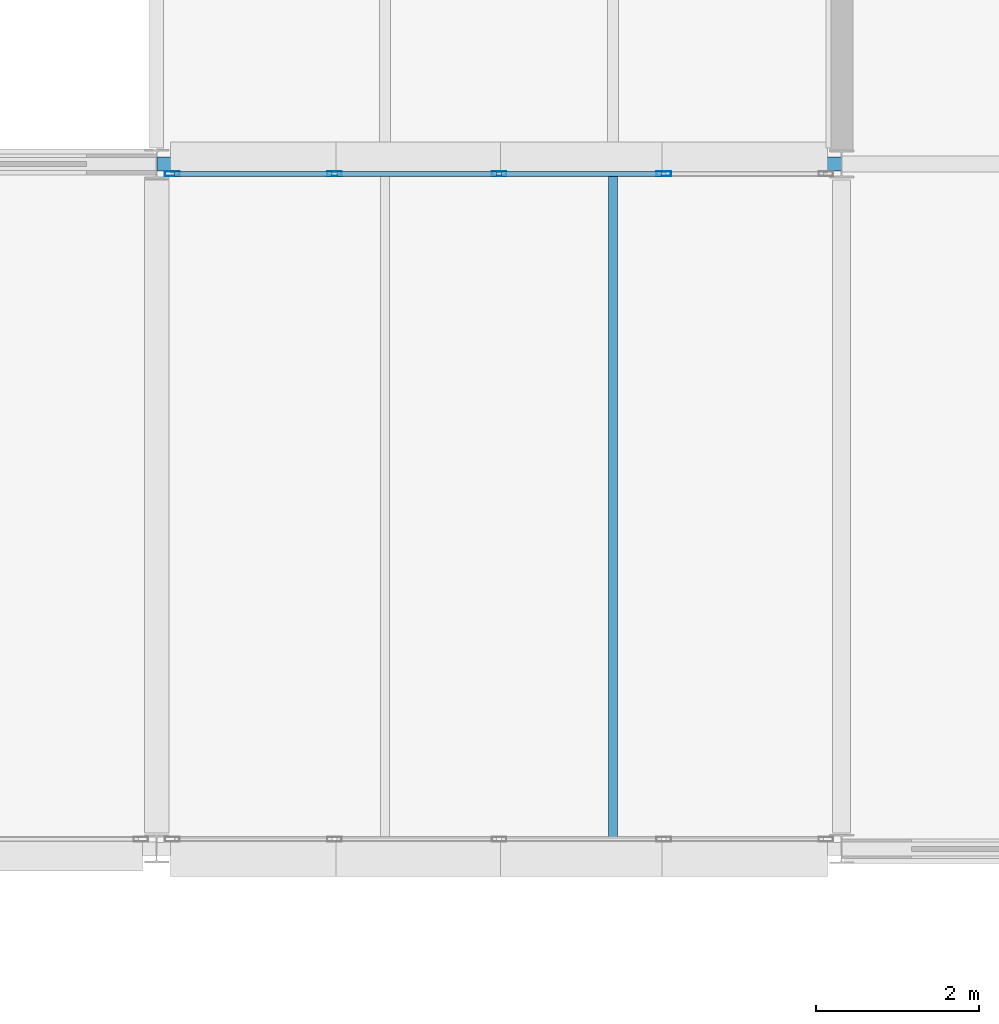
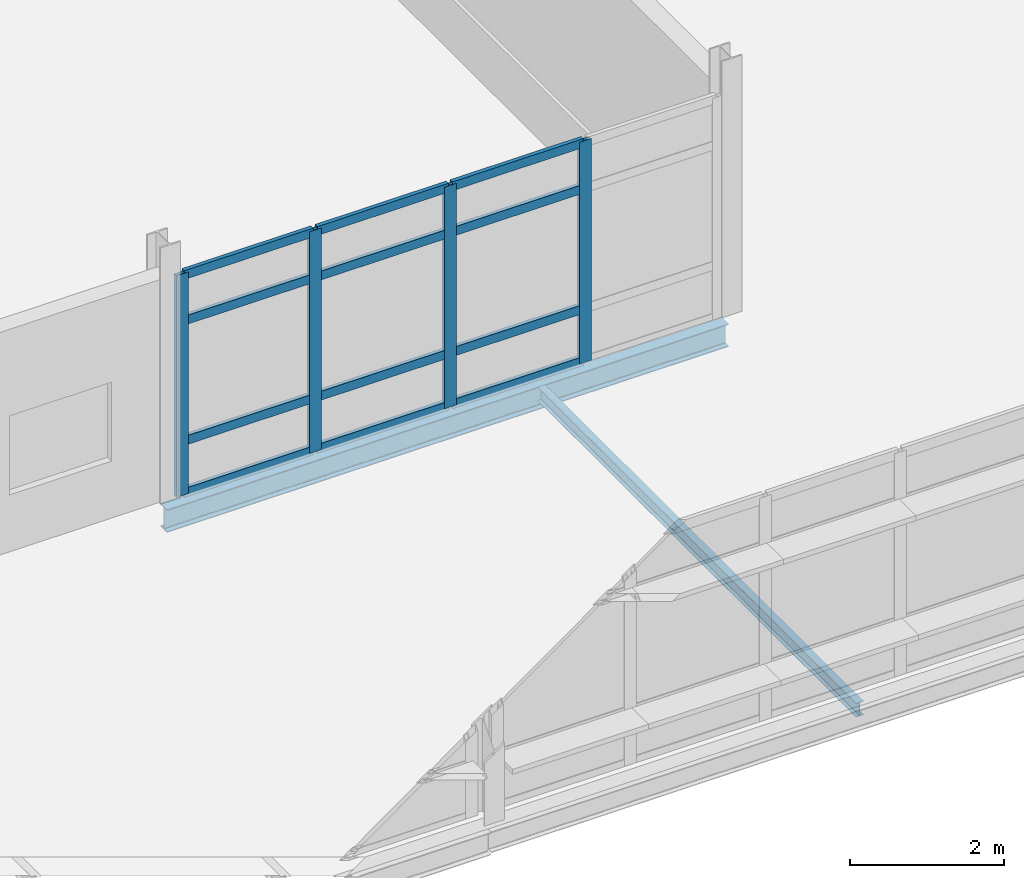
# One storey, part 43 of 131: 16 members, 2 beams, 1 element without a shape of its own.
"""IFC4 building model written with IfcOpenShell, lengths in metres."""

from ifc_helpers import new_model, si_unit, direction, frame, origin, origin_2d, place, context, subcontext, project, spatial, hollow_rectangle, i_section, extrude, material, material_profile, profile_set, type_object, element, aggregate, save


model = new_model("IFC4")

# Units and contexts
model_context = context("Model", 3, precision=1e-05, world=origin(), true_north=direction((0.0, 1.0)))
body_context = subcontext(model_context, "Body", "Model", "MODEL_VIEW")
ifc_project = project(units=[si_unit("LENGTHUNIT", "METRE"), si_unit("AREAUNIT", "SQUARE_METRE"), si_unit("VOLUMEUNIT", "CUBIC_METRE"), si_unit("PLANEANGLEUNIT", "RADIAN"), si_unit("MASSUNIT", "GRAM", prefix="KILO")], contexts=[model_context])

# Site, building, storey
site_placement = place(None, origin())
site = spatial("IfcSite", under=ifc_project, at=site_placement, CompositionType="ELEMENT")
building_placement = place(site_placement, origin())
building = spatial("IfcBuilding", under=site, at=building_placement, Name="Mersafa Astral City Hall", CompositionType="ELEMENT")
storey_placement = place(building_placement, frame((0.0, 0.0, 13.949951171875)))
storey = spatial("IfcBuildingStorey", under=building, at=storey_placement, Name="L03", CompositionType="ELEMENT", Elevation=13.949951171875)

# Curtain wall, members
ifc_material_1 = material(Name="Anodised bronze aluminium framing", Category="aluminium")
curtain_wall_type = type_object("IfcCurtainWallType", Name="ENV-CW-4", PredefinedType="USERDEFINED", material=ifc_material_1)
curtain_wall_placement = place(storey_placement, origin())
curtain_wall = element("IfcCurtainWall", 1, at=curtain_wall_placement, inside=storey, type_object=curtain_wall_type, Name="L03 Unitised solar curtain wall 171", ObjectType="UNITISED CURTAIN WALL", PredefinedType="USERDEFINED")
ifc_material_profile_1 = material_profile(ifc_material_1, hollow_rectangle(XDim=0.06005859375, YDim=0.179931640625, WallThickness=0.00390625, at=origin_2d()), Name="RHS 60x180x4")
ifc_profile_set_1 = profile_set([ifc_material_profile_1], Name="Anodised bronze aluminium framing")
member_type_1 = type_object("IfcMemberType", Name="ENV-CW-MUL-1", PredefinedType="MULLION", material=ifc_profile_set_1)
member_1_placement = place(storey_placement, frame((39.819091796875, 100.679931640625, -0.001953125), z_axis=(0.0, 0.0, 1.0), x_axis=(0.0, -1.0, 0.0)))
member_1 = element("IfcMember", 2, at=member_1_placement, type_object=member_type_1, Name="CW-4 mullion 2", PredefinedType="MULLION", context=body_context, shape_type="SweptSolid", body=[
    extrude(hollow_rectangle(XDim=0.06005859375, YDim=0.179931640625, WallThickness=0.00390625, at=origin_2d()), origin(), (0.0, 0.0, 1.0), 3.50390625),
])
member_2_placement = place(storey_placement, frame((37.800048828125, 100.679931640625, -0.001953125), z_axis=(0.0, 0.0, 1.0), x_axis=(0.0, -1.0, 0.0)))
member_2 = element("IfcMember", 3, at=member_2_placement, type_object=member_type_1, Name="CW-4 mullion 3", PredefinedType="MULLION", context=body_context, shape_type="SweptSolid", body=[
    extrude(hollow_rectangle(XDim=0.06005859375, YDim=0.179931640625, WallThickness=0.00390625, at=origin_2d()), origin(), (0.0, 0.0, 1.0), 3.50390625),
])
member_3_placement = place(storey_placement, frame((35.781005859375, 100.679931640625, -0.001953125), z_axis=(0.0, 0.0, 1.0), x_axis=(0.0, -1.0, 0.0)))
member_3 = element("IfcMember", 4, at=member_3_placement, type_object=member_type_1, Name="CW-4 mullion 4", PredefinedType="MULLION", context=body_context, shape_type="SweptSolid", body=[
    extrude(hollow_rectangle(XDim=0.06005859375, YDim=0.179931640625, WallThickness=0.00390625, at=origin_2d()), origin(), (0.0, 0.0, 1.0), 3.50390625),
])
member_4_placement = place(storey_placement, frame((33.7919921875, 100.679931640625, -0.001953125), z_axis=(0.0, 0.0, 1.0), x_axis=(0.0, -1.0, 0.0)))
member_4 = element("IfcMember", 5, at=member_4_placement, type_object=member_type_1, Name="CW-4 mullion 5", PredefinedType="MULLION", context=body_context, shape_type="SweptSolid", body=[
    extrude(hollow_rectangle(XDim=0.06005859375, YDim=0.179931640625, WallThickness=0.00390625, at=origin_2d()), origin(), (0.0, 0.0, 1.0), 3.50390625),
])
ifc_material_profile_2 = material_profile(ifc_material_1, hollow_rectangle(XDim=0.06005859375, YDim=0.139892578125, WallThickness=0.00390625, at=origin_2d()), Name="RHS 60x140x4")
ifc_profile_set_2 = profile_set([ifc_material_profile_2], Name="Anodised bronze aluminium framing")
member_type_2 = type_object("IfcMemberType", Name="ENV-CW-TRN-1", PredefinedType="USERDEFINED", material=ifc_profile_set_2)
member_5_placement = place(storey_placement, frame((39.7890625, 100.679931640625, 0.028076171875), z_axis=(-1.0, 0.0, 0.0), x_axis=(0.0, -1.0, 0.0)))
member_5 = element("IfcMember", 6, at=member_5_placement, type_object=member_type_2, Name="CW-4 transom 2.1", ObjectType="TRANSOM", PredefinedType="USERDEFINED", context=body_context, shape_type="SweptSolid", body=[
    extrude(hollow_rectangle(XDim=0.06005859375, YDim=0.139892578125, WallThickness=0.00390625, at=origin_2d()), origin(), (0.0, 0.0, 1.0), 1.958984375),
])
member_6_placement = place(storey_placement, frame((39.7890625, 100.679931640625, 0.85009765625), z_axis=(-1.0, 0.0, 0.0), x_axis=(0.0, -1.0, 0.0)))
member_6 = element("IfcMember", 7, at=member_6_placement, type_object=member_type_2, Name="CW-4 transom 2.2", ObjectType="TRANSOM", PredefinedType="USERDEFINED", context=body_context, shape_type="SweptSolid", body=[
    extrude(hollow_rectangle(XDim=0.06005859375, YDim=0.139892578125, WallThickness=0.00390625, at=origin_2d()), origin(), (0.0, 0.0, 1.0), 1.958984375),
])
member_7_placement = place(storey_placement, frame((39.7890625, 100.679931640625, 2.75), z_axis=(-1.0, 0.0, 0.0), x_axis=(0.0, -1.0, 0.0)))
member_7 = element("IfcMember", 8, at=member_7_placement, type_object=member_type_2, Name="CW-4 transom 2.3", ObjectType="TRANSOM", PredefinedType="USERDEFINED", context=body_context, shape_type="SweptSolid", body=[
    extrude(hollow_rectangle(XDim=0.06005859375, YDim=0.139892578125, WallThickness=0.00390625, at=origin_2d()), origin(), (0.0, 0.0, 1.0), 1.958984375),
])
member_8_placement = place(storey_placement, frame((39.7890625, 100.679931640625, 3.47216796875), z_axis=(-1.0, 0.0, 0.0), x_axis=(0.0, -1.0, 0.0)))
member_8 = element("IfcMember", 9, at=member_8_placement, type_object=member_type_2, Name="CW-4 transom 2.4", ObjectType="TRANSOM", PredefinedType="USERDEFINED", context=body_context, shape_type="SweptSolid", body=[
    extrude(hollow_rectangle(XDim=0.06005859375, YDim=0.139892578125, WallThickness=0.00390625, at=origin_2d()), origin(), (0.0, 0.0, 1.0), 1.958984375),
])
member_9_placement = place(storey_placement, frame((37.77001953125, 100.679931640625, 0.028076171875), z_axis=(-1.0, 0.0, 0.0), x_axis=(0.0, -1.0, 0.0)))
member_9 = element("IfcMember", 10, at=member_9_placement, type_object=member_type_2, Name="CW-4 transom 3.1", ObjectType="TRANSOM", PredefinedType="USERDEFINED", context=body_context, shape_type="SweptSolid", body=[
    extrude(hollow_rectangle(XDim=0.06005859375, YDim=0.139892578125, WallThickness=0.00390625, at=origin_2d()), origin(), (0.0, 0.0, 1.0), 1.958984375),
])
member_10_placement = place(storey_placement, frame((37.77001953125, 100.679931640625, 0.85009765625), z_axis=(-1.0, 0.0, 0.0), x_axis=(0.0, -1.0, 0.0)))
member_10 = element("IfcMember", 11, at=member_10_placement, type_object=member_type_2, Name="CW-4 transom 3.2", ObjectType="TRANSOM", PredefinedType="USERDEFINED", context=body_context, shape_type="SweptSolid", body=[
    extrude(hollow_rectangle(XDim=0.06005859375, YDim=0.139892578125, WallThickness=0.00390625, at=origin_2d()), origin(), (0.0, 0.0, 1.0), 1.958984375),
])
member_11_placement = place(storey_placement, frame((37.77001953125, 100.679931640625, 2.75), z_axis=(-1.0, 0.0, 0.0), x_axis=(0.0, -1.0, 0.0)))
member_11 = element("IfcMember", 12, at=member_11_placement, type_object=member_type_2, Name="CW-4 transom 3.3", ObjectType="TRANSOM", PredefinedType="USERDEFINED", context=body_context, shape_type="SweptSolid", body=[
    extrude(hollow_rectangle(XDim=0.06005859375, YDim=0.139892578125, WallThickness=0.00390625, at=origin_2d()), origin(), (0.0, 0.0, 1.0), 1.958984375),
])
member_12_placement = place(storey_placement, frame((37.77001953125, 100.679931640625, 3.47216796875), z_axis=(-1.0, 0.0, 0.0), x_axis=(0.0, -1.0, 0.0)))
member_12 = element("IfcMember", 13, at=member_12_placement, type_object=member_type_2, Name="CW-4 transom 3.4", ObjectType="TRANSOM", PredefinedType="USERDEFINED", context=body_context, shape_type="SweptSolid", body=[
    extrude(hollow_rectangle(XDim=0.06005859375, YDim=0.139892578125, WallThickness=0.00390625, at=origin_2d()), origin(), (0.0, 0.0, 1.0), 1.958984375),
])
member_13_placement = place(storey_placement, frame((35.7509765625, 100.679931640625, 0.028076171875), z_axis=(-1.0, 0.0, 0.0), x_axis=(0.0, -1.0, 0.0)))
member_13 = element("IfcMember", 14, at=member_13_placement, type_object=member_type_2, Name="CW-4 transom 4.1", ObjectType="TRANSOM", PredefinedType="USERDEFINED", context=body_context, shape_type="SweptSolid", body=[
    extrude(hollow_rectangle(XDim=0.06005859375, YDim=0.139892578125, WallThickness=0.00390625, at=origin_2d()), origin(), (0.0, 0.0, 1.0), 1.928955078125),
])
member_14_placement = place(storey_placement, frame((35.7509765625, 100.679931640625, 0.85009765625), z_axis=(-1.0, 0.0, 0.0), x_axis=(0.0, -1.0, 0.0)))
member_14 = element("IfcMember", 15, at=member_14_placement, type_object=member_type_2, Name="CW-4 transom 4.2", ObjectType="TRANSOM", PredefinedType="USERDEFINED", context=body_context, shape_type="SweptSolid", body=[
    extrude(hollow_rectangle(XDim=0.06005859375, YDim=0.139892578125, WallThickness=0.00390625, at=origin_2d()), origin(), (0.0, 0.0, 1.0), 1.928955078125),
])
member_15_placement = place(storey_placement, frame((35.7509765625, 100.679931640625, 2.75), z_axis=(-1.0, 0.0, 0.0), x_axis=(0.0, -1.0, 0.0)))
member_15 = element("IfcMember", 16, at=member_15_placement, type_object=member_type_2, Name="CW-4 transom 4.3", ObjectType="TRANSOM", PredefinedType="USERDEFINED", context=body_context, shape_type="SweptSolid", body=[
    extrude(hollow_rectangle(XDim=0.06005859375, YDim=0.139892578125, WallThickness=0.00390625, at=origin_2d()), origin(), (0.0, 0.0, 1.0), 1.928955078125),
])
member_16_placement = place(storey_placement, frame((35.7509765625, 100.679931640625, 3.47216796875), z_axis=(-1.0, 0.0, 0.0), x_axis=(0.0, -1.0, 0.0)))
member_16 = element("IfcMember", 17, at=member_16_placement, type_object=member_type_2, Name="CW-4 transom 4.4", ObjectType="TRANSOM", PredefinedType="USERDEFINED", context=body_context, shape_type="SweptSolid", body=[
    extrude(hollow_rectangle(XDim=0.06005859375, YDim=0.139892578125, WallThickness=0.00390625, at=origin_2d()), origin(), (0.0, 0.0, 1.0), 1.928955078125),
])
aggregate(curtain_wall, [member_1, member_2, member_3, member_4, member_5, member_6, member_7, member_8, member_9, member_10, member_11, member_12, member_13, member_14, member_15, member_16])

# Beams
ifc_material_2 = material(Name="Steel S355", Category="steel")
ifc_material_profile_3 = material_profile(ifc_material_2, i_section(OverallWidth=0.110107421875, OverallDepth=0.219970703125, WebThickness=0.005859375, FlangeThickness=0.00927734375, FilletRadius=0.011962890625, at=origin_2d()), Name="IPE 220")
ifc_profile_set_3 = profile_set([ifc_material_profile_3], Name="Steel S355")
beam_type_1 = type_object("IfcBeamType", Name="STR-BM-JOIST-IPE220", PredefinedType="JOIST", material=ifc_profile_set_3)
beam_1_placement = place(storey_placement, frame((39.199951171875, 92.47509765625, -0.31005859375), z_axis=(0.0, 1.0, 0.0), x_axis=(-1.0, 0.0, 0.0)))
element("IfcBeam", 18, at=beam_1_placement, inside=storey, type_object=beam_type_1, Name="L03 Composite secondary floor joist 565", PredefinedType="JOIST", context=body_context, shape_type="SweptSolid", body=[
    extrude(i_section(OverallWidth=0.110107421875, OverallDepth=0.219970703125, WebThickness=0.005859375, FlangeThickness=0.00927734375, FilletRadius=0.011962890625, at=origin_2d()), origin(), (0.0, 0.0, 1.0), 8.244873046875),
])
ifc_material_profile_4 = material_profile(ifc_material_2, i_section(OverallWidth=0.169921875, OverallDepth=0.360107421875, WebThickness=0.008056640625, FlangeThickness=0.0126953125, FilletRadius=0.01806640625, at=origin_2d()), Name="IPE 360")
ifc_profile_set_4 = profile_set([ifc_material_profile_4], Name="Steel S355")
beam_type_2 = type_object("IfcBeamType", Name="STR-BM-SPANDREL-IPE360", PredefinedType="SPANDREL", material=ifc_profile_set_4)
beam_2_placement = place(storey_placement, frame((33.60302734375, 100.800048828125, -0.3798828125), z_axis=(1.0, 0.0, 0.0), x_axis=(0.0, 1.0, 0.0)))
element("IfcBeam", 19, at=beam_2_placement, inside=storey, type_object=beam_type_2, Name="L03 Primary girder X 4-12", PredefinedType="SPANDREL", context=body_context, shape_type="SweptSolid", body=[
    extrude(i_section(OverallWidth=0.169921875, OverallDepth=0.360107421875, WebThickness=0.008056640625, FlangeThickness=0.0126953125, FilletRadius=0.01806640625, at=origin_2d()), origin(), (0.0, 0.0, 1.0), 8.39404296875),
])

save(model, "model.ifc")
